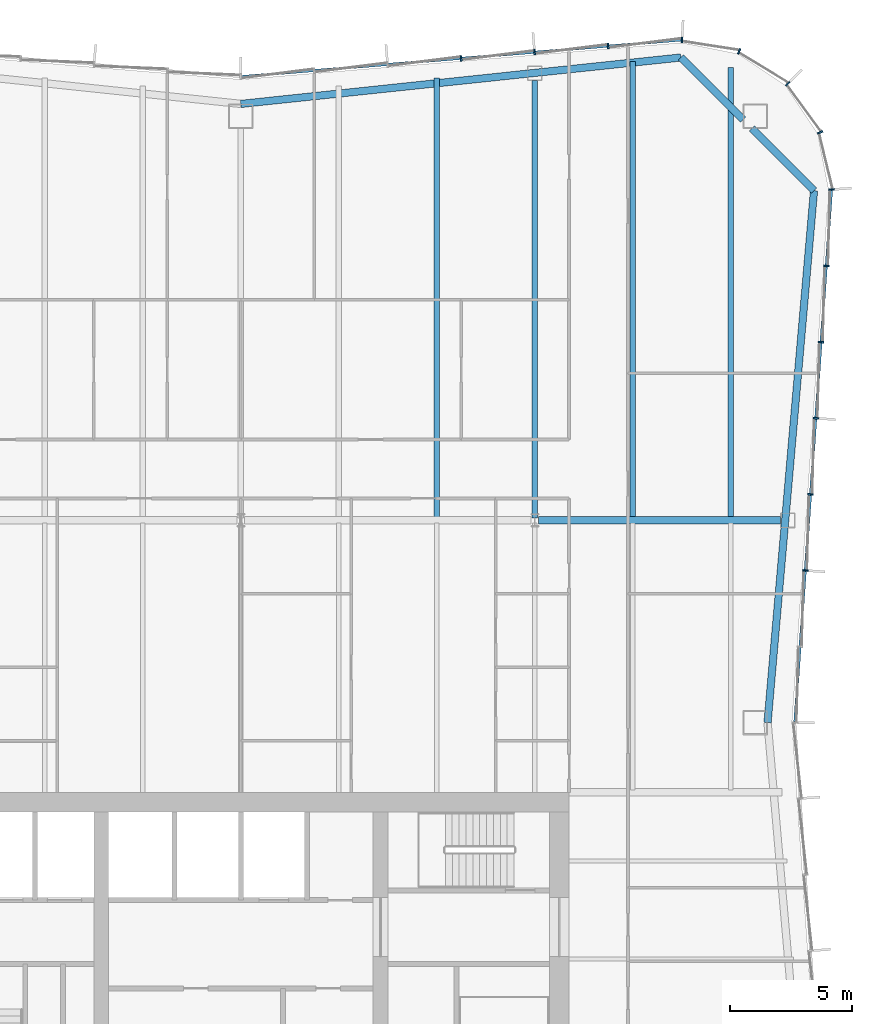
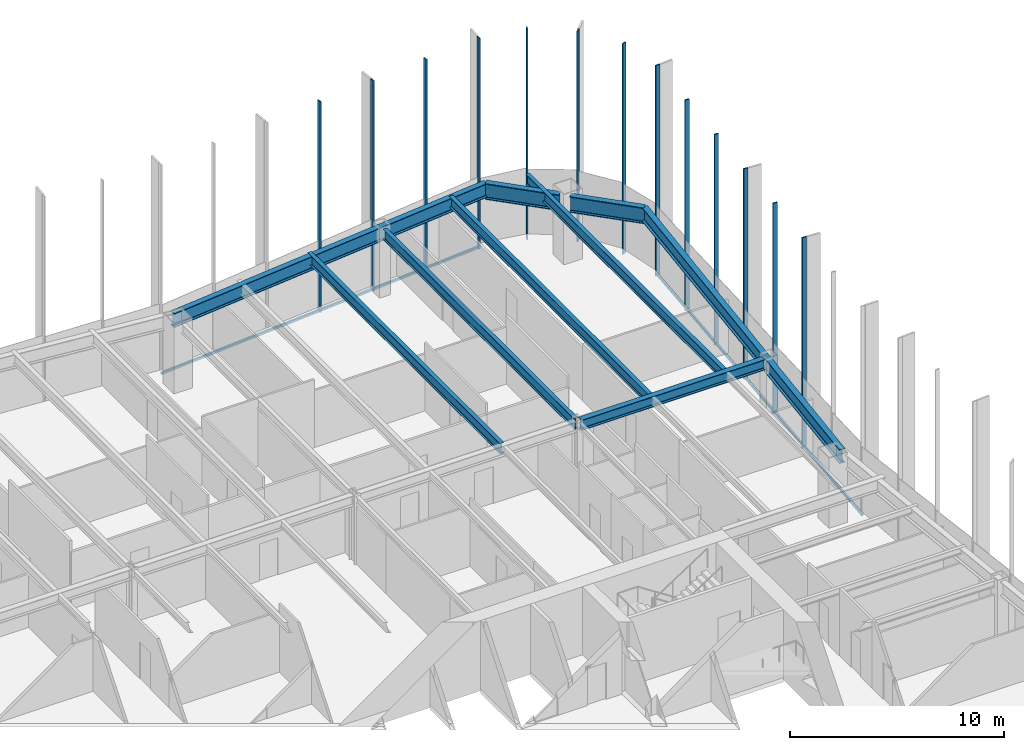
# One storey, part 8 of 15: 15 members, 9 beams, 3 elements without a shape of their own.
"""IFC4 building model written with IfcOpenShell, lengths in metres."""

import ifcopenshell
import ifcopenshell.guid

model = None  # the IFC model being written
_history = None  # IfcOwnerHistory: only IFC2X3 demands one
_inside = {}  # id of a spatial element -> (the spatial element, [elements in it])
_under = {}  # id of a project, library or spatial element -> (it, [spatial elements below it])
_declared = {}  # id of a project -> (the project, [libraries it declares])
_typed = {}  # id of a type object -> (the type object, [elements of that type])
_made_of = {}  # id of a material, layer set ... -> (it, [elements and type objects made of it])


def new_model(schema):
    """Start an empty IFC model of exactly this schema.

    Asked for "IFC4X3", IfcOpenShell would pick the latest addendum, in which some entities
    have other attributes; the version numbers below select the first issue.
    IFC2X3 requires an IfcOwnerHistory on every rooted entity: one is made here for all.
    """
    global model, _history
    if schema == "IFC4X3":
        model = ifcopenshell.file(schema_version=(4, 3, 0, 0))
    else:
        model = ifcopenshell.file(schema=schema)
    _inside.clear()
    _under.clear()
    _declared.clear()
    _typed.clear()
    _made_of.clear()
    _history = None
    if model.schema == "IFC2X3":
        org = make("IfcOrganization", Name="unknown")
        user = make(
            "IfcPersonAndOrganization",
            ThePerson=make("IfcPerson", FamilyName="unknown"),
            TheOrganization=org,
        )
        app = make(
            "IfcApplication",
            ApplicationDeveloper=org,
            Version="unknown",
            ApplicationFullName="unknown",
            ApplicationIdentifier="unknown",
        )
        _history = make(
            "IfcOwnerHistory",
            OwningUser=user,
            OwningApplication=app,
            ChangeAction="ADDED",
            CreationDate=0,
        )
    return model


def make(cls, **values):
    """One entity of the class cls with the attributes given. An attribute that is None is left unset."""
    return model.create_entity(
        cls, **{name: value for name, value in values.items() if value is not None}
    )


def rooted(cls, **values):
    """An entity with a GlobalId (a new one), such as an element, a storey or a relation."""
    return make(cls, GlobalId=ifcopenshell.guid.new(), OwnerHistory=_history, **values)


def si_unit(unit_type, name, prefix=None):
    """IfcSIUnit, for example si_unit("LENGTHUNIT", "METRE", prefix="MILLI")."""
    return make("IfcSIUnit", UnitType=unit_type, Prefix=prefix, Name=name)


def assignment(units):
    """IfcUnitAssignment: the units of a project."""
    return None if units is None else make("IfcUnitAssignment", Units=units)


def point(xyz):
    """IfcCartesianPoint."""
    return None if xyz is None else make("IfcCartesianPoint", Coordinates=xyz)


def direction(xyz):
    """IfcDirection."""
    return None if xyz is None else make("IfcDirection", DirectionRatios=xyz)


def frame(location, z_axis=None, x_axis=None):
    """IfcAxis2Placement3D, a coordinate frame: its origin and axes. An axis left out is left unset."""
    return make(
        "IfcAxis2Placement3D",
        Location=point(location),
        Axis=direction(z_axis),
        RefDirection=direction(x_axis),
    )


def frame_2d(location, x_axis=None):
    """IfcAxis2Placement2D, a coordinate frame in the plane: its origin and x axis."""
    return make(
        "IfcAxis2Placement2D", Location=point(location), RefDirection=direction(x_axis)
    )


def origin():
    """The frame at (0, 0, 0) with its axes left unset."""
    return frame((0.0, 0.0, 0.0))


def origin_2d():
    """The frame at (0, 0) in the plane with its x axis left unset."""
    return frame_2d((0.0, 0.0))


def place(relative_to, where):
    """IfcLocalPlacement: puts the frame where relative to a parent placement (None: the world)."""
    return make(
        "IfcLocalPlacement", PlacementRelTo=relative_to, RelativePlacement=where
    )


def context(
    kind, dimensions, precision=None, world=None, true_north=None, identifier=None
):
    """IfcGeometricRepresentationContext, for example the 3D "Model" context."""
    return make(
        "IfcGeometricRepresentationContext",
        ContextIdentifier=identifier,
        ContextType=kind,
        CoordinateSpaceDimension=dimensions,
        Precision=precision,
        WorldCoordinateSystem=world,
        TrueNorth=true_north,
    )


def subcontext(parent, identifier, kind, view, scale=None):
    """IfcGeometricRepresentationSubContext, for example "Body" below "Model"."""
    return make(
        "IfcGeometricRepresentationSubContext",
        ContextIdentifier=identifier,
        ContextType=kind,
        ParentContext=parent,
        TargetScale=scale,
        TargetView=view,
    )


def project(units=None, contexts=None):
    """IfcProject with its units and contexts."""
    return rooted(
        "IfcProject",
        Name="project",
        RepresentationContexts=contexts,
        UnitsInContext=assignment(units),
    )


def spatial(cls, under=None, at=None, **own):
    """A site, building, storey or space (cls), placed at a placement, below another one or the project."""
    s = rooted(cls, ObjectPlacement=at, **own)
    if under is not None:
        _under.setdefault(under.id(), (under, []))[1].append(s)
    return s


def profile(cls, at=None, kind="AREA", **sizes):
    """A parametric profile (cls). Its sizes go by their IFC names, for example OverallWidth=200.0."""
    return make(cls, ProfileType=kind, Position=at, **sizes)


def rectangle(**sizes):
    """IfcRectangleProfileDef."""
    return profile("IfcRectangleProfileDef", **sizes)


def i_section(**sizes):
    """IfcIShapeProfileDef."""
    return profile("IfcIShapeProfileDef", **sizes)


def extrude(swept, where, along, depth):
    """IfcExtrudedAreaSolid: the profile swept, set in the frame where, extruded along a direction by depth."""
    return make(
        "IfcExtrudedAreaSolid",
        SweptArea=swept,
        Position=where,
        ExtrudedDirection=direction(along),
        Depth=depth,
    )


def shape(context_of_items, identifier, shape_type, items):
    """IfcShapeRepresentation: the items that make up one representation, for example the "Body"."""
    return make(
        "IfcShapeRepresentation",
        ContextOfItems=context_of_items,
        RepresentationIdentifier=identifier,
        RepresentationType=shape_type,
        Items=items,
    )


def material(Name=None, Category=None):
    """IfcMaterial."""
    return make("IfcMaterial", Name=Name, Category=Category)


def material_profile(
    of_material, cross_section, Name=None, Category=None, Priority=None
):
    """IfcMaterialProfile: a cross section and its material."""
    return make(
        "IfcMaterialProfile",
        Name=Name,
        Material=of_material,
        Profile=cross_section,
        Priority=Priority,
        Category=Category,
    )


def profile_set(profiles, Name=None, composite=None):
    """IfcMaterialProfileSet."""
    return make(
        "IfcMaterialProfileSet",
        Name=Name,
        MaterialProfiles=profiles,
        CompositeProfile=composite,
    )


def made_of(thing, what):
    """Note that an element or type object is made of a material, layer set ...; save() writes the relation."""
    if what is not None:
        _made_of.setdefault(what.id(), (what, []))[1].append(thing)
    return thing


def type_object(cls, material=None, **own):
    """A type object (cls), such as IfcWallType, which elements share."""
    return made_of(rooted(cls, **own), material)


def element(
    cls,
    number,
    at=None,
    inside=None,
    cuts=None,
    type_object=None,
    material=None,
    context=None,
    identifier="Body",
    shape_type=None,
    held_by="IfcProductDefinitionShape",
    body=None,
    shapes=None,
    **own,
):
    """One element of the class cls, such as IfcWall. Its Tag is "e" and its number.

    at: its placement. inside: the storey or other place that contains it. cuts: it is an
    opening in that element (IfcRelVoidsElement). A single representation is given by context,
    identifier, shape_type and body (its items); several are given by shapes. held_by: the class
    of the entity that holds the representations. save() writes the other relations.
    """
    e = rooted(cls, Tag="e%d" % number, ObjectPlacement=at, **own)
    if body is not None:
        shapes = [shape(context, identifier, shape_type, body)]
    if shapes is not None:
        e.Representation = make(held_by, Representations=shapes)
    if inside is not None:
        _inside.setdefault(inside.id(), (inside, []))[1].append(e)
    if cuts is not None:
        rooted(
            "IfcRelVoidsElement", RelatingBuildingElement=cuts, RelatedOpeningElement=e
        )
    if type_object is not None:
        _typed.setdefault(type_object.id(), (type_object, []))[1].append(e)
    return made_of(e, material)


def aggregate(whole, parts):
    """IfcRelAggregates: a whole, such as a stair, and the parts it consists of."""
    return rooted("IfcRelAggregates", RelatingObject=whole, RelatedObjects=parts)


def save(model, path):
    """Write the relations noted so far, then the file.

    IfcRelAggregates (storeys below a building ...), IfcRelContainedInSpatialStructure (elements
    in a storey), IfcRelDefinesByType, IfcRelAssociatesMaterial and IfcRelDeclares: one each for
    every whole, place, type object, material and project.
    """
    for whole, parts in _under.values():
        aggregate(whole, parts)
    for where, things in _inside.values():
        rooted(
            "IfcRelContainedInSpatialStructure",
            RelatedElements=things,
            RelatingStructure=where,
        )
    for kind, things in _typed.values():
        rooted("IfcRelDefinesByType", RelatedObjects=things, RelatingType=kind)
    for what, things in _made_of.values():
        rooted("IfcRelAssociatesMaterial", RelatedObjects=things, RelatingMaterial=what)
    for by, libraries in _declared.values():
        rooted("IfcRelDeclares", RelatingContext=by, RelatedDefinitions=libraries)
    model.write(path)


model = new_model("IFC4")

# Units and contexts
model_context = context("Model", 3, precision=1e-05, world=origin(), true_north=direction((0.0, 1.0)))
body_context = subcontext(model_context, "Body", "Model", "MODEL_VIEW")
ifc_project = project(units=[si_unit("LENGTHUNIT", "METRE"), si_unit("AREAUNIT", "SQUARE_METRE"), si_unit("VOLUMEUNIT", "CUBIC_METRE"), si_unit("PLANEANGLEUNIT", "RADIAN"), si_unit("MASSUNIT", "GRAM", prefix="KILO")], contexts=[model_context])

# Site, building, storey
site_placement = place(None, origin())
site = spatial("IfcSite", under=ifc_project, at=site_placement, CompositionType="ELEMENT")
building_placement = place(site_placement, origin())
building = spatial("IfcBuilding", under=site, at=building_placement, Name="Verdant Reach Tower", CompositionType="ELEMENT")
storey_placement = place(building_placement, frame((0.0, 0.0, 262.0)))
storey = spatial("IfcBuildingStorey", under=building, at=storey_placement, Name="L60", CompositionType="ELEMENT", Elevation=262.0)

# Curtain wall, members
ifc_material_1 = material(Name="Anodised aluminium", Category="aluminium")
curtain_wall_type = type_object("IfcCurtainWallType", Name="EN-CW SYSTEM Z4", PredefinedType="NOTDEFINED", material=ifc_material_1)
curtain_wall_1_placement = place(storey_placement, origin())
curtain_wall_1 = element("IfcCurtainWall", 1, at=curtain_wall_1_placement, inside=storey, type_object=curtain_wall_type, Name="Curtain wall east, L60", PredefinedType="NOTDEFINED")
ifc_material_profile_1 = material_profile(ifc_material_1, rectangle(XDim=0.22412109375, YDim=0.068115234375, at=origin_2d()), Name="Mullion 68x224")
ifc_profile_set_1 = profile_set([ifc_material_profile_1], Name="Anodised aluminium")
member_type_1 = type_object("IfcMemberType", Name="EN-MULLION Z4", PredefinedType="MULLION", material=ifc_profile_set_1)
member_1_placement = place(storey_placement, frame((23.040283203125, 47.45654296875, -0.35009765625), z_axis=(0.0, 0.0, 1.0), x_axis=(0.997630328423, -0.068802091615, 0.0)))
member_1 = element("IfcMember", 2, at=member_1_placement, type_object=member_type_1, Name="Mullion east face part 2 3, L60", PredefinedType="MULLION", context=body_context, shape_type="SweptSolid", body=[
    extrude(rectangle(XDim=0.22412109375, YDim=0.068115234375, at=origin_2d()), origin(), (0.0, 0.0, 1.0), 12.0),
])
member_2_placement = place(storey_placement, frame((23.254638671875, 50.563720703125, -0.35009765625), z_axis=(0.0, 0.0, 1.0), x_axis=(0.997630328423, -0.068802091615, 0.0)))
member_2 = element("IfcMember", 3, at=member_2_placement, type_object=member_type_1, Name="Mullion east face part 2 4, L60", PredefinedType="MULLION", context=body_context, shape_type="SweptSolid", body=[
    extrude(rectangle(XDim=0.22412109375, YDim=0.068115234375, at=origin_2d()), origin(), (0.0, 0.0, 1.0), 12.0),
])
member_3_placement = place(storey_placement, frame((23.468994140625, 53.6708984375, -0.35009765625), z_axis=(0.0, 0.0, 1.0), x_axis=(0.997630328423, -0.068802091615, 0.0)))
member_3 = element("IfcMember", 4, at=member_3_placement, type_object=member_type_1, Name="Mullion east face part 2 5, L60", PredefinedType="MULLION", context=body_context, shape_type="SweptSolid", body=[
    extrude(rectangle(XDim=0.22412109375, YDim=0.068115234375, at=origin_2d()), origin(), (0.0, 0.0, 1.0), 12.0),
])
member_4_placement = place(storey_placement, frame((23.68310546875, 56.778076171875, -0.35009765625), z_axis=(0.0, 0.0, 1.0), x_axis=(0.997630328423, -0.068802091615, 0.0)))
member_4 = element("IfcMember", 5, at=member_4_placement, type_object=member_type_1, Name="Mullion east face part 2 6, L60", PredefinedType="MULLION", context=body_context, shape_type="SweptSolid", body=[
    extrude(rectangle(XDim=0.22412109375, YDim=0.068115234375, at=origin_2d()), origin(), (0.0, 0.0, 1.0), 12.0),
])
member_5_placement = place(storey_placement, frame((23.8974609375, 59.88525390625, -0.35009765625), z_axis=(0.0, 0.0, 1.0), x_axis=(0.997630328423, -0.068802091615, 0.0)))
member_5 = element("IfcMember", 6, at=member_5_placement, type_object=member_type_1, Name="Mullion east face part 2 7, L60", PredefinedType="MULLION", context=body_context, shape_type="SweptSolid", body=[
    extrude(rectangle(XDim=0.22412109375, YDim=0.068115234375, at=origin_2d()), origin(), (0.0, 0.0, 1.0), 12.0),
])

curtain_wall_2_placement = place(storey_placement, origin())
curtain_wall_2 = element("IfcCurtainWall", 7, at=curtain_wall_2_placement, inside=storey, type_object=curtain_wall_type, Name="Curtain wall north-east corner, L60", PredefinedType="NOTDEFINED")
member_6_placement = place(storey_placement, frame((24.11181640625, 63.007080078125, -0.35009765625), z_axis=(0.0, 0.0, 1.0), x_axis=(0.997969180898, 0.063698618332, 0.0)))
member_6 = element("IfcMember", 8, at=member_6_placement, type_object=member_type_1, Name="Mullion north-east corner 1, L60", PredefinedType="MULLION", context=body_context, shape_type="SweptSolid", body=[
    extrude(rectangle(XDim=0.22412109375, YDim=0.068115234375, at=origin_2d()), origin(), (0.0, 0.0, 1.0), 12.0),
])
member_7_placement = place(storey_placement, frame((23.646728515625, 65.3388671875, -0.35009765625), z_axis=(0.0, 0.0, 1.0), x_axis=(0.923875215753, 0.382693853776, 0.0)))
member_7 = element("IfcMember", 9, at=member_7_placement, type_object=member_type_1, Name="Mullion north-east corner 2, L60", PredefinedType="MULLION", context=body_context, shape_type="SweptSolid", body=[
    extrude(rectangle(XDim=0.22412109375, YDim=0.068115234375, at=origin_2d()), origin(), (0.0, 0.0, 1.0), 12.0),
])
member_8_placement = place(storey_placement, frame((22.32177734375, 67.32177734375, -0.35009765625), z_axis=(0.0, 0.0, 1.0), x_axis=(0.707106781187, 0.707106781187, 0.0)))
member_8 = element("IfcMember", 10, at=member_8_placement, type_object=member_type_1, Name="Mullion north-east corner 3, L60", PredefinedType="MULLION", context=body_context, shape_type="SweptSolid", body=[
    extrude(rectangle(XDim=0.22412109375, YDim=0.068115234375, at=origin_2d()), origin(), (0.0, 0.0, 1.0), 12.0),
])
member_9_placement = place(storey_placement, frame((20.3388671875, 68.646728515625, -0.35009765625), z_axis=(0.0, 0.0, 1.0), x_axis=(0.382693853776, 0.923875215753, 0.0)))
member_9 = element("IfcMember", 11, at=member_9_placement, type_object=member_type_1, Name="Mullion north-east corner 4, L60", PredefinedType="MULLION", context=body_context, shape_type="SweptSolid", body=[
    extrude(rectangle(XDim=0.22412109375, YDim=0.068115234375, at=origin_2d()), origin(), (0.0, 0.0, 1.0), 12.0),
])
aggregate(curtain_wall_2, [member_6, member_7, member_8, member_9])

curtain_wall_3_placement = place(storey_placement, origin())
curtain_wall_3 = element("IfcCurtainWall", 12, at=curtain_wall_3_placement, inside=storey, type_object=curtain_wall_type, Name="Curtain wall north, L60", PredefinedType="NOTDEFINED")
member_10_placement = place(storey_placement, frame((18.00634765625, 69.11181640625, -0.35009765625), z_axis=(0.0, 0.0, 1.0), x_axis=(0.056569187765, 0.998398681387, 0.0)))
member_10 = element("IfcMember", 13, at=member_10_placement, type_object=member_type_1, Name="Mullion north face part 1 1, L60", PredefinedType="MULLION", context=body_context, shape_type="SweptSolid", body=[
    extrude(rectangle(XDim=0.22412109375, YDim=0.068115234375, at=origin_2d()), origin(), (0.0, 0.0, 1.0), 12.0),
])
member_11_placement = place(storey_placement, frame((14.99072265625, 68.861572265625, -0.35009765625), z_axis=(0.0, 0.0, 1.0), x_axis=(-0.083045479859, 0.996545758244, 0.0)))
member_11 = element("IfcMember", 14, at=member_11_placement, type_object=member_type_1, Name="Mullion north face part 1 2, L60", PredefinedType="MULLION", context=body_context, shape_type="SweptSolid", body=[
    extrude(rectangle(XDim=0.22412109375, YDim=0.068115234375, at=origin_2d()), origin(), (0.0, 0.0, 1.0), 12.0),
])
member_12_placement = place(storey_placement, frame((11.99072265625, 68.611572265625, -0.35009765625), z_axis=(0.0, 0.0, 1.0), x_axis=(-0.083045479859, 0.996545758244, 0.0)))
member_12 = element("IfcMember", 15, at=member_12_placement, type_object=member_type_1, Name="Mullion north face part 1 3, L60", PredefinedType="MULLION", context=body_context, shape_type="SweptSolid", body=[
    extrude(rectangle(XDim=0.22412109375, YDim=0.068115234375, at=origin_2d()), origin(), (0.0, 0.0, 1.0), 12.0),
])
member_13_placement = place(storey_placement, frame((8.99072265625, 68.361572265625, -0.35009765625), z_axis=(0.0, 0.0, 1.0), x_axis=(-0.083045479859, 0.996545758244, 0.0)))
member_13 = element("IfcMember", 16, at=member_13_placement, type_object=member_type_1, Name="Mullion north face part 1 4, L60", PredefinedType="MULLION", context=body_context, shape_type="SweptSolid", body=[
    extrude(rectangle(XDim=0.22412109375, YDim=0.068115234375, at=origin_2d()), origin(), (0.0, 0.0, 1.0), 12.0),
])

# Member
ifc_material_profile_2 = material_profile(ifc_material_1, rectangle(XDim=0.10009765625, YDim=0.1279296875, at=origin_2d()), Name="Transom 128x100")
ifc_profile_set_2 = profile_set([ifc_material_profile_2], Name="Anodised aluminium")
member_type_2 = type_object("IfcMemberType", Name="EN-TRANSOM Z4", PredefinedType="USERDEFINED", material=ifc_profile_set_2)
member_14_placement = place(storey_placement, frame((22.6142578125, 41.283935546875, -0.285888671875), z_axis=(0.068770489035, 0.997632507408, 0.0), x_axis=(-0.997632507408, 0.068770489035, 0.0)))
member_14 = element("IfcMember", 17, at=member_14_placement, type_object=member_type_2, Name="Transom east face part 2 1.1, L60", ObjectType="TRANSOM", PredefinedType="USERDEFINED", context=body_context, shape_type="SweptSolid", body=[
    extrude(rectangle(XDim=0.10009765625, YDim=0.1279296875, at=origin_2d()), origin(), (0.0, 0.0, 1.0), 21.74072265625),
])

aggregate(curtain_wall_1, [member_1, member_2, member_3, member_4, member_5, member_14])

member_15_placement = place(storey_placement, frame((17.972412109375, 69.10888671875, -0.285888671875), z_axis=(-0.996549124771, -0.083005071637, 0.0), x_axis=(0.083005071637, -0.996549124771, 0.0)))
member_15 = element("IfcMember", 18, at=member_15_placement, type_object=member_type_2, Name="Transom north face part 1 1.1, L60", ObjectType="TRANSOM", PredefinedType="USERDEFINED", context=body_context, shape_type="SweptSolid", body=[
    extrude(rectangle(XDim=0.10009765625, YDim=0.1279296875, at=origin_2d()), origin(), (0.0, 0.0, 1.0), 18.00048828125),
])

aggregate(curtain_wall_3, [member_10, member_11, member_12, member_13, member_15])

# Beams
ifc_material_2 = material(Name="Steel S355", Category="steel")
ifc_material_profile_3 = material_profile(ifc_material_2, i_section(OverallWidth=0.300048828125, OverallDepth=0.60009765625, WebThickness=0.015380859375, FlangeThickness=0.030029296875, FilletRadius=0.027099609375, at=origin_2d()), Name="HEB 600")
ifc_profile_set_3 = profile_set([ifc_material_profile_3], Name="Steel S355")
beam_type_1 = type_object("IfcBeamType", Name="ST-BEAM-HEB600", PredefinedType="BEAM", material=ifc_profile_set_3)
beam_1_placement = place(storey_placement, frame((12.153076171875, 49.5, 3.570068359375), z_axis=(1.0, 0.0, 0.0), x_axis=(0.0, 1.0, 0.0)))
element("IfcBeam", 19, at=beam_1_placement, inside=storey, type_object=beam_type_1, Name="Row girder, L60", PredefinedType="BEAM", context=body_context, shape_type="SweptSolid", body=[
    extrude(i_section(OverallWidth=0.300048828125, OverallDepth=0.60009765625, WebThickness=0.015380859375, FlangeThickness=0.030029296875, FilletRadius=0.027099609375, at=origin_2d()), origin(), (0.0, 0.0, 1.0), 9.865966796875),
])
ifc_material_profile_4 = material_profile(ifc_material_2, i_section(OverallWidth=0.219970703125, OverallDepth=0.60009765625, WebThickness=0.011962890625, FlangeThickness=0.01904296875, FilletRadius=0.02392578125, at=origin_2d()), Name="IPE 600")
ifc_profile_set_4 = profile_set([ifc_material_profile_4], Name="Steel S355")
beam_type_2 = type_object("IfcBeamType", Name="ST-JOIST-IPE600", PredefinedType="JOIST", material=ifc_profile_set_4)
beam_2_placement = place(storey_placement, frame((8.0, 49.60009765625, 3.570068359375), z_axis=(0.0, 1.0, 0.0), x_axis=(-1.0, 0.0, 0.0)))
element("IfcBeam", 20, at=beam_2_placement, inside=storey, type_object=beam_type_2, Name="Floor joist, L60", PredefinedType="JOIST", context=body_context, shape_type="SweptSolid", body=[
    extrude(i_section(OverallWidth=0.219970703125, OverallDepth=0.60009765625, WebThickness=0.011962890625, FlangeThickness=0.01904296875, FilletRadius=0.02392578125, at=origin_2d()), origin(), (0.0, 0.0, 1.0), 17.964599609375),
])
beam_3_placement = place(storey_placement, frame((12.0, 49.60009765625, 3.570068359375), z_axis=(0.0, 1.0, 0.0), x_axis=(-1.0, 0.0, 0.0)))
element("IfcBeam", 21, at=beam_3_placement, inside=storey, type_object=beam_type_2, Name="Floor joist, L60", PredefinedType="JOIST", context=body_context, shape_type="SweptSolid", body=[
    extrude(i_section(OverallWidth=0.219970703125, OverallDepth=0.60009765625, WebThickness=0.011962890625, FlangeThickness=0.01904296875, FilletRadius=0.02392578125, at=origin_2d()), origin(), (0.0, 0.0, 1.0), 17.849853515625),
])
beam_4_placement = place(storey_placement, frame((16.0, 49.60009765625, 3.570068359375), z_axis=(0.0, 1.0, 0.0), x_axis=(-1.0, 0.0, 0.0)))
element("IfcBeam", 22, at=beam_4_placement, inside=storey, type_object=beam_type_2, Name="Floor joist, L60", PredefinedType="JOIST", context=body_context, shape_type="SweptSolid", body=[
    extrude(i_section(OverallWidth=0.219970703125, OverallDepth=0.60009765625, WebThickness=0.011962890625, FlangeThickness=0.01904296875, FilletRadius=0.02392578125, at=origin_2d()), origin(), (0.0, 0.0, 1.0), 18.631103515625),
])
beam_5_placement = place(storey_placement, frame((20.0, 49.60009765625, 3.570068359375), z_axis=(0.0, 1.0, 0.0), x_axis=(-1.0, 0.0, 0.0)))
element("IfcBeam", 23, at=beam_5_placement, inside=storey, type_object=beam_type_2, Name="Floor joist, L60", PredefinedType="JOIST", context=body_context, shape_type="SweptSolid", body=[
    extrude(i_section(OverallWidth=0.219970703125, OverallDepth=0.60009765625, WebThickness=0.011962890625, FlangeThickness=0.01904296875, FilletRadius=0.02392578125, at=origin_2d()), origin(), (0.0, 0.0, 1.0), 18.390380859375),
])
ifc_material_profile_5 = material_profile(ifc_material_2, i_section(OverallWidth=0.300048828125, OverallDepth=0.800048828125, WebThickness=0.017578125, FlangeThickness=0.032958984375, FilletRadius=0.030029296875, at=origin_2d()), Name="HEB 800")
ifc_profile_set_5 = profile_set([ifc_material_profile_5], Name="Steel S355")
beam_type_3 = type_object("IfcBeamType", Name="ST-SPANDREL-HEB800", PredefinedType="SPANDREL", material=ifc_profile_set_5)
beam_6_placement = place(storey_placement, frame((0.0, 66.5, 3.469970703125), z_axis=(0.994483067002, 0.104897232783, 0.0), x_axis=(-0.104897232783, 0.994483067002, 0.0)))
element("IfcBeam", 24, at=beam_6_placement, inside=storey, type_object=beam_type_3, Name="Edge beam, L60", PredefinedType="SPANDREL", context=body_context, shape_type="SweptSolid", body=[
    extrude(i_section(OverallWidth=0.300048828125, OverallDepth=0.800048828125, WebThickness=0.017578125, FlangeThickness=0.032958984375, FilletRadius=0.030029296875, at=origin_2d()), origin(), (0.0, 0.0, 1.0), 18.0654296875),
])
beam_7_placement = place(storey_placement, frame((23.39599609375, 62.96142578125, 3.469970703125), z_axis=(-0.086996024331, -0.996208658741, 0.0), x_axis=(0.996208658741, -0.086996024331, 0.0)))
element("IfcBeam", 25, at=beam_7_placement, inside=storey, type_object=beam_type_3, Name="Edge beam, L60", PredefinedType="SPANDREL", context=body_context, shape_type="SweptSolid", body=[
    extrude(i_section(OverallWidth=0.300048828125, OverallDepth=0.800048828125, WebThickness=0.017578125, FlangeThickness=0.032958984375, FilletRadius=0.030029296875, at=origin_2d()), origin(), (0.0, 0.0, 1.0), 21.7939453125),
])
ifc_material_profile_6 = material_profile(ifc_material_2, i_section(OverallWidth=0.302001953125, OverallDepth=0.909912109375, WebThickness=0.02099609375, FlangeThickness=0.0400390625, FilletRadius=0.030029296875, at=origin_2d()), Name="HEM 900")
ifc_profile_set_6 = profile_set([ifc_material_profile_6], Name="Steel S355")
beam_type_4 = type_object("IfcBeamType", Name="ST-SPANDREL-HEM900", PredefinedType="SPANDREL", material=ifc_profile_set_6)
beam_8_placement = place(storey_placement, frame((17.9658203125, 68.39501953125, 3.4150390625), z_axis=(0.706868394255, -0.707345087777, 0.0), x_axis=(0.707345087777, 0.706868394255, 0.0)))
element("IfcBeam", 26, at=beam_8_placement, inside=storey, type_object=beam_type_4, Name="Edge beam, L60", PredefinedType="SPANDREL", context=body_context, shape_type="SweptSolid", body=[
    extrude(i_section(OverallWidth=0.302001953125, OverallDepth=0.909912109375, WebThickness=0.02099609375, FlangeThickness=0.0400390625, FilletRadius=0.030029296875, at=origin_2d()), origin(), (0.0, 0.0, 1.0), 3.5849609375),
])
beam_9_placement = place(storey_placement, frame((20.85888671875, 65.5, 3.4150390625), z_axis=(0.706902680526, -0.707310822952, 0.0), x_axis=(0.707310822952, 0.706902680526, 0.0)))
element("IfcBeam", 27, at=beam_9_placement, inside=storey, type_object=beam_type_4, Name="Edge beam, L60", PredefinedType="SPANDREL", context=body_context, shape_type="SweptSolid", body=[
    extrude(i_section(OverallWidth=0.302001953125, OverallDepth=0.909912109375, WebThickness=0.02099609375, FlangeThickness=0.0400390625, FilletRadius=0.030029296875, at=origin_2d()), origin(), (0.0, 0.0, 1.0), 3.589111328125),
])

save(model, "model.ifc")
